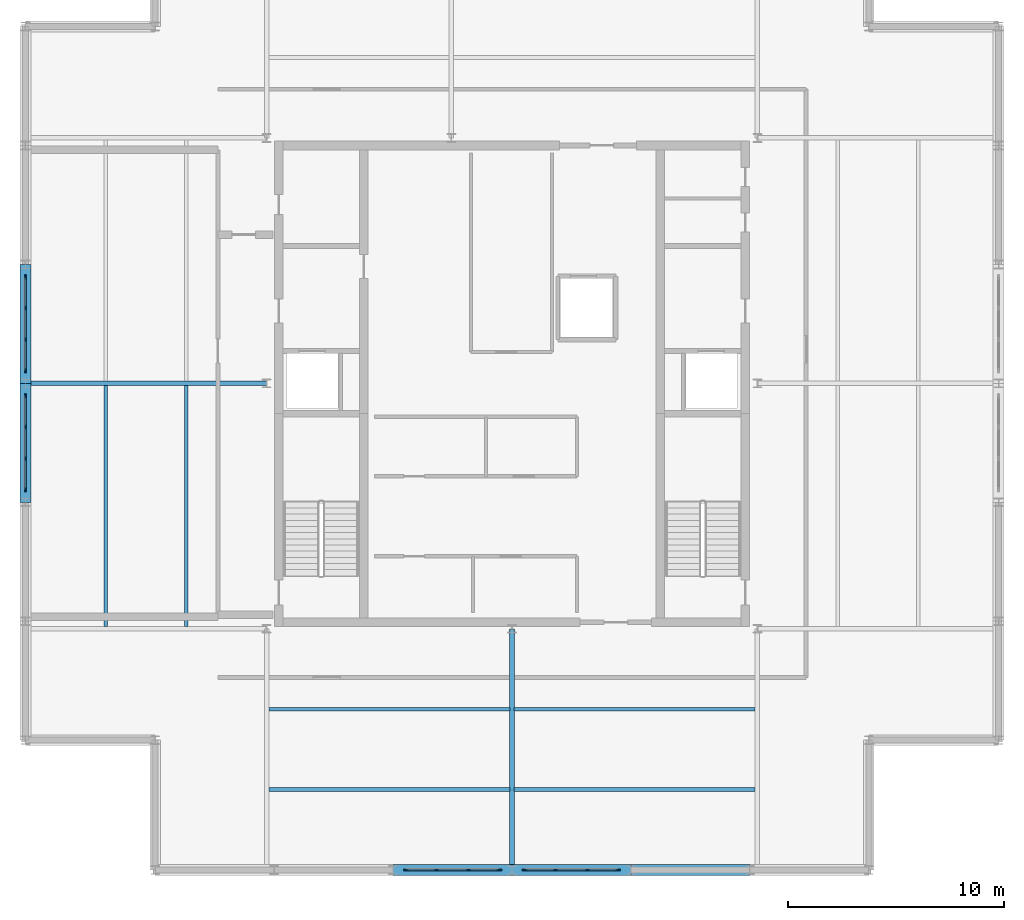
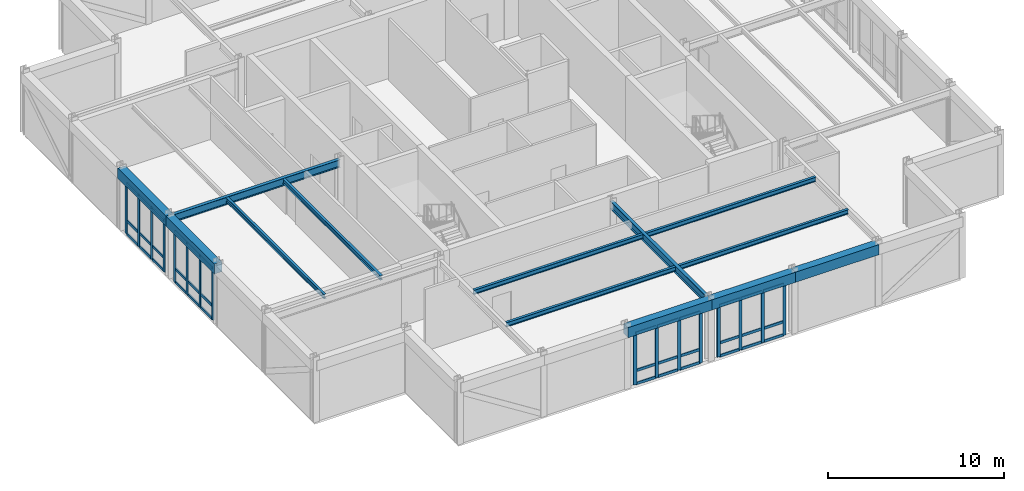
# One storey, part 2 of 9: 52 members, 13 beams, 4 elements without a shape of their own.
"""IFC4 building model written with IfcOpenShell, lengths in metres."""

from ifc_helpers import new_model, si_unit, direction, frame, origin, origin_2d, place, context, subcontext, project, spatial, rectangle, i_section, extrude, material, layer, layer_set, material_profile, profile_set, type_object, element, aggregate, save


model = new_model("IFC4")

# Units and contexts
model_context = context("Model", 3, precision=1e-05, world=origin(), true_north=direction((0.0, 1.0)))
body_context = subcontext(model_context, "Body", "Model", "MODEL_VIEW")
ifc_project = project(units=[si_unit("LENGTHUNIT", "METRE"), si_unit("AREAUNIT", "SQUARE_METRE"), si_unit("VOLUMEUNIT", "CUBIC_METRE"), si_unit("PLANEANGLEUNIT", "RADIAN"), si_unit("MASSUNIT", "GRAM", prefix="KILO")], contexts=[model_context])

# Site, building, storey
site_placement = place(None, origin())
site = spatial("IfcSite", under=ifc_project, at=site_placement, CompositionType="ELEMENT")
building_placement = place(site_placement, origin())
building = spatial("IfcBuilding", under=site, at=building_placement, Name="Nhamokura Convention Tower", CompositionType="ELEMENT")
storey_placement = place(building_placement, frame((0.0, 0.0, 322.35009765625)))
storey = spatial("IfcBuildingStorey", under=building, at=storey_placement, Name="L79", CompositionType="ELEMENT", Elevation=322.35009765625)

# Curtain wall, members
ifc_material_1 = material(Name="Anodised bronze aluminium AA6063-T6", Category="aluminium")
ifc_layer = layer(ifc_material_1, 0.2099609375)
ifc_layer_set = layer_set([ifc_layer], Name="CWSystem_SlantedCrown")
curtain_wall_type = type_object("IfcCurtainWallType", Name="CWSystem_SlantedCrown", PredefinedType="NOTDEFINED", material=ifc_layer_set)
curtain_wall_1_placement = place(storey_placement, origin())
curtain_wall_1 = element("IfcCurtainWall", 1, at=curtain_wall_1_placement, inside=storey, type_object=curtain_wall_type, Name="L79 Curtain Wall ENV-L79-CRCW-S2", PredefinedType="NOTDEFINED")
ifc_material_2 = material(Name="Anodised bronze aluminium AA6063-T6", Category="aluminium")
ifc_material_profile_1 = material_profile(ifc_material_2, rectangle(XDim=0.080078125, YDim=0.2099609375, at=origin_2d()))
ifc_profile_set_1 = profile_set([ifc_material_profile_1], Name="Anodised bronze aluminium AA6063-T6")
member_type_1 = type_object("IfcMemberType", Name="CWMullion_4", PredefinedType="MULLION", material=ifc_profile_set_1)
member_1_placement = place(storey_placement, frame((31.409912109375, 9.5, 0.0), z_axis=(0.0, 0.0, 1.0), x_axis=(0.0, -1.0, 0.0)))
member_1 = element("IfcMember", 2, at=member_1_placement, type_object=member_type_1, Name="CW-07 mullion 1", PredefinedType="MULLION", context=body_context, shape_type="SweptSolid", body=[
    extrude(rectangle(XDim=0.080078125, YDim=0.2099609375, at=origin_2d()), origin(), (0.0, 0.0, 1.0), 3.56982421875),
])
member_2_placement = place(storey_placement, frame((29.9833984375, 9.5, 0.0), z_axis=(0.0, 0.0, 1.0), x_axis=(0.0, -1.0, 0.0)))
member_2 = element("IfcMember", 3, at=member_2_placement, type_object=member_type_1, Name="CW-07 mullion 2", PredefinedType="MULLION", context=body_context, shape_type="SweptSolid", body=[
    extrude(rectangle(XDim=0.080078125, YDim=0.2099609375, at=origin_2d()), origin(), (0.0, 0.0, 1.0), 3.56982421875),
])
member_3_placement = place(storey_placement, frame((28.5166015625, 9.5, 0.0), z_axis=(0.0, 0.0, 1.0), x_axis=(0.0, -1.0, 0.0)))
member_3 = element("IfcMember", 4, at=member_3_placement, type_object=member_type_1, Name="CW-07 mullion 3", PredefinedType="MULLION", context=body_context, shape_type="SweptSolid", body=[
    extrude(rectangle(XDim=0.080078125, YDim=0.2099609375, at=origin_2d()), origin(), (0.0, 0.0, 1.0), 3.56982421875),
])
member_4_placement = place(storey_placement, frame((27.090087890625, 9.5, 0.0), z_axis=(0.0, 0.0, 1.0), x_axis=(0.0, -1.0, 0.0)))
member_4 = element("IfcMember", 5, at=member_4_placement, type_object=member_type_1, Name="CW-07 mullion 4", PredefinedType="MULLION", context=body_context, shape_type="SweptSolid", body=[
    extrude(rectangle(XDim=0.080078125, YDim=0.2099609375, at=origin_2d()), origin(), (0.0, 0.0, 1.0), 3.56982421875),
])

curtain_wall_2_placement = place(storey_placement, origin())
curtain_wall_2 = element("IfcCurtainWall", 6, at=curtain_wall_2_placement, inside=storey, type_object=curtain_wall_type, Name="L79 Curtain Wall ENV-L79-CRCW-S3", PredefinedType="NOTDEFINED")
member_5_placement = place(storey_placement, frame((36.909912109375, 9.5, 0.0), z_axis=(0.0, 0.0, 1.0), x_axis=(0.0, -1.0, 0.0)))
member_5 = element("IfcMember", 7, at=member_5_placement, type_object=member_type_1, Name="CW-07 mullion 1", PredefinedType="MULLION", context=body_context, shape_type="SweptSolid", body=[
    extrude(rectangle(XDim=0.080078125, YDim=0.2099609375, at=origin_2d()), origin(), (0.0, 0.0, 1.0), 3.56982421875),
])
member_6_placement = place(storey_placement, frame((35.4833984375, 9.5, 0.0), z_axis=(0.0, 0.0, 1.0), x_axis=(0.0, -1.0, 0.0)))
member_6 = element("IfcMember", 8, at=member_6_placement, type_object=member_type_1, Name="CW-07 mullion 2", PredefinedType="MULLION", context=body_context, shape_type="SweptSolid", body=[
    extrude(rectangle(XDim=0.080078125, YDim=0.2099609375, at=origin_2d()), origin(), (0.0, 0.0, 1.0), 3.56982421875),
])
member_7_placement = place(storey_placement, frame((34.0166015625, 9.5, 0.0), z_axis=(0.0, 0.0, 1.0), x_axis=(0.0, -1.0, 0.0)))
member_7 = element("IfcMember", 9, at=member_7_placement, type_object=member_type_1, Name="CW-07 mullion 3", PredefinedType="MULLION", context=body_context, shape_type="SweptSolid", body=[
    extrude(rectangle(XDim=0.080078125, YDim=0.2099609375, at=origin_2d()), origin(), (0.0, 0.0, 1.0), 3.56982421875),
])
member_8_placement = place(storey_placement, frame((32.590087890625, 9.5, 0.0), z_axis=(0.0, 0.0, 1.0), x_axis=(0.0, -1.0, 0.0)))
member_8 = element("IfcMember", 10, at=member_8_placement, type_object=member_type_1, Name="CW-07 mullion 4", PredefinedType="MULLION", context=body_context, shape_type="SweptSolid", body=[
    extrude(rectangle(XDim=0.080078125, YDim=0.2099609375, at=origin_2d()), origin(), (0.0, 0.0, 1.0), 3.56982421875),
])

curtain_wall_3_placement = place(storey_placement, origin())
curtain_wall_3 = element("IfcCurtainWall", 11, at=curtain_wall_3_placement, inside=storey, type_object=curtain_wall_type, Name="L79 Curtain Wall ENV-L79-CRCW-W2", PredefinedType="NOTDEFINED")
member_9_placement = place(storey_placement, frame((9.5, 27.090087890625, 0.0), z_axis=(0.0, 0.0, 1.0), x_axis=(-1.0, 0.0, 0.0)))
member_9 = element("IfcMember", 12, at=member_9_placement, type_object=member_type_1, Name="CW-07 mullion 1", PredefinedType="MULLION", context=body_context, shape_type="SweptSolid", body=[
    extrude(rectangle(XDim=0.080078125, YDim=0.2099609375, at=origin_2d()), origin(), (0.0, 0.0, 1.0), 3.56982421875),
])
member_10_placement = place(storey_placement, frame((9.5, 28.5166015625, 0.0), z_axis=(0.0, 0.0, 1.0), x_axis=(-1.0, 0.0, 0.0)))
member_10 = element("IfcMember", 13, at=member_10_placement, type_object=member_type_1, Name="CW-07 mullion 2", PredefinedType="MULLION", context=body_context, shape_type="SweptSolid", body=[
    extrude(rectangle(XDim=0.080078125, YDim=0.2099609375, at=origin_2d()), origin(), (0.0, 0.0, 1.0), 3.56982421875),
])
member_11_placement = place(storey_placement, frame((9.5, 29.9833984375, 0.0), z_axis=(0.0, 0.0, 1.0), x_axis=(-1.0, 0.0, 0.0)))
member_11 = element("IfcMember", 14, at=member_11_placement, type_object=member_type_1, Name="CW-07 mullion 3", PredefinedType="MULLION", context=body_context, shape_type="SweptSolid", body=[
    extrude(rectangle(XDim=0.080078125, YDim=0.2099609375, at=origin_2d()), origin(), (0.0, 0.0, 1.0), 3.56982421875),
])
member_12_placement = place(storey_placement, frame((9.5, 31.409912109375, 0.0), z_axis=(0.0, 0.0, 1.0), x_axis=(-1.0, 0.0, 0.0)))
member_12 = element("IfcMember", 15, at=member_12_placement, type_object=member_type_1, Name="CW-07 mullion 4", PredefinedType="MULLION", context=body_context, shape_type="SweptSolid", body=[
    extrude(rectangle(XDim=0.080078125, YDim=0.2099609375, at=origin_2d()), origin(), (0.0, 0.0, 1.0), 3.56982421875),
])

curtain_wall_4_placement = place(storey_placement, origin())
curtain_wall_4 = element("IfcCurtainWall", 16, at=curtain_wall_4_placement, inside=storey, type_object=curtain_wall_type, Name="L79 Curtain Wall ENV-L79-CRCW-W3", PredefinedType="NOTDEFINED")
member_13_placement = place(storey_placement, frame((9.5, 32.590087890625, 0.0), z_axis=(0.0, 0.0, 1.0), x_axis=(-1.0, 0.0, 0.0)))
member_13 = element("IfcMember", 17, at=member_13_placement, type_object=member_type_1, Name="CW-07 mullion 1", PredefinedType="MULLION", context=body_context, shape_type="SweptSolid", body=[
    extrude(rectangle(XDim=0.080078125, YDim=0.2099609375, at=origin_2d()), origin(), (0.0, 0.0, 1.0), 3.56982421875),
])
member_14_placement = place(storey_placement, frame((9.5, 34.0166015625, 0.0), z_axis=(0.0, 0.0, 1.0), x_axis=(-1.0, 0.0, 0.0)))
member_14 = element("IfcMember", 18, at=member_14_placement, type_object=member_type_1, Name="CW-07 mullion 2", PredefinedType="MULLION", context=body_context, shape_type="SweptSolid", body=[
    extrude(rectangle(XDim=0.080078125, YDim=0.2099609375, at=origin_2d()), origin(), (0.0, 0.0, 1.0), 3.56982421875),
])
member_15_placement = place(storey_placement, frame((9.5, 35.4833984375, 0.0), z_axis=(0.0, 0.0, 1.0), x_axis=(-1.0, 0.0, 0.0)))
member_15 = element("IfcMember", 19, at=member_15_placement, type_object=member_type_1, Name="CW-07 mullion 3", PredefinedType="MULLION", context=body_context, shape_type="SweptSolid", body=[
    extrude(rectangle(XDim=0.080078125, YDim=0.2099609375, at=origin_2d()), origin(), (0.0, 0.0, 1.0), 3.56982421875),
])
member_16_placement = place(storey_placement, frame((9.5, 36.909912109375, 0.0), z_axis=(0.0, 0.0, 1.0), x_axis=(-1.0, 0.0, 0.0)))
member_16 = element("IfcMember", 20, at=member_16_placement, type_object=member_type_1, Name="CW-07 mullion 4", PredefinedType="MULLION", context=body_context, shape_type="SweptSolid", body=[
    extrude(rectangle(XDim=0.080078125, YDim=0.2099609375, at=origin_2d()), origin(), (0.0, 0.0, 1.0), 3.56982421875),
])

# Member
ifc_material_3 = material(Name="Anodised bronze aluminium AA6063-T6", Category="aluminium")
ifc_material_profile_2 = material_profile(ifc_material_3, rectangle(XDim=0.080078125, YDim=0.18505859375, at=origin_2d()))
ifc_profile_set_2 = profile_set([ifc_material_profile_2], Name="Anodised bronze aluminium AA6063-T6")
member_type_2 = type_object("IfcMemberType", Name="CWTransom_4", PredefinedType="USERDEFINED", material=ifc_profile_set_2)
member_17_placement = place(storey_placement, frame((31.3701171875, 9.5, 0.039794921875), z_axis=(-1.0, 0.0, 0.0), x_axis=(0.0, -1.0, 0.0)))
member_17 = element("IfcMember", 21, at=member_17_placement, type_object=member_type_2, Name="CW-07 transom 1.1", ObjectType="TRANSOM", PredefinedType="USERDEFINED", context=body_context, shape_type="SweptSolid", body=[
    extrude(rectangle(XDim=0.080078125, YDim=0.18505859375, at=origin_2d()), origin(), (0.0, 0.0, 1.0), 1.3466796875),
])

member_18_placement = place(storey_placement, frame((31.3701171875, 9.5, 0.949951171875), z_axis=(-1.0, 0.0, 0.0), x_axis=(0.0, -1.0, 0.0)))
member_18 = element("IfcMember", 22, at=member_18_placement, type_object=member_type_2, Name="CW-07 transom 1.2", ObjectType="TRANSOM", PredefinedType="USERDEFINED", context=body_context, shape_type="SweptSolid", body=[
    extrude(rectangle(XDim=0.080078125, YDim=0.18505859375, at=origin_2d()), origin(), (0.0, 0.0, 1.0), 1.3466796875),
])

member_19_placement = place(storey_placement, frame((31.3701171875, 9.5, 3.52978515625), z_axis=(-1.0, 0.0, 0.0), x_axis=(0.0, -1.0, 0.0)))
member_19 = element("IfcMember", 23, at=member_19_placement, type_object=member_type_2, Name="CW-07 transom 1.3", ObjectType="TRANSOM", PredefinedType="USERDEFINED", context=body_context, shape_type="SweptSolid", body=[
    extrude(rectangle(XDim=0.080078125, YDim=0.18505859375, at=origin_2d()), origin(), (0.0, 0.0, 1.0), 1.3466796875),
])

member_20_placement = place(storey_placement, frame((29.943359375, 9.5, 0.039794921875), z_axis=(-1.0, 0.0, 0.0), x_axis=(0.0, -1.0, 0.0)))
member_20 = element("IfcMember", 24, at=member_20_placement, type_object=member_type_2, Name="CW-07 transom 2.1", ObjectType="TRANSOM", PredefinedType="USERDEFINED", context=body_context, shape_type="SweptSolid", body=[
    extrude(rectangle(XDim=0.080078125, YDim=0.18505859375, at=origin_2d()), origin(), (0.0, 0.0, 1.0), 1.38671875),
])

member_21_placement = place(storey_placement, frame((29.943359375, 9.5, 0.949951171875), z_axis=(-1.0, 0.0, 0.0), x_axis=(0.0, -1.0, 0.0)))
member_21 = element("IfcMember", 25, at=member_21_placement, type_object=member_type_2, Name="CW-07 transom 2.2", ObjectType="TRANSOM", PredefinedType="USERDEFINED", context=body_context, shape_type="SweptSolid", body=[
    extrude(rectangle(XDim=0.080078125, YDim=0.18505859375, at=origin_2d()), origin(), (0.0, 0.0, 1.0), 1.38671875),
])

member_22_placement = place(storey_placement, frame((29.943359375, 9.5, 3.52978515625), z_axis=(-1.0, 0.0, 0.0), x_axis=(0.0, -1.0, 0.0)))
member_22 = element("IfcMember", 26, at=member_22_placement, type_object=member_type_2, Name="CW-07 transom 2.3", ObjectType="TRANSOM", PredefinedType="USERDEFINED", context=body_context, shape_type="SweptSolid", body=[
    extrude(rectangle(XDim=0.080078125, YDim=0.18505859375, at=origin_2d()), origin(), (0.0, 0.0, 1.0), 1.38671875),
])

member_23_placement = place(storey_placement, frame((28.4765625, 9.5, 0.039794921875), z_axis=(-1.0, 0.0, 0.0), x_axis=(0.0, -1.0, 0.0)))
member_23 = element("IfcMember", 27, at=member_23_placement, type_object=member_type_2, Name="CW-07 transom 3.1", ObjectType="TRANSOM", PredefinedType="USERDEFINED", context=body_context, shape_type="SweptSolid", body=[
    extrude(rectangle(XDim=0.080078125, YDim=0.18505859375, at=origin_2d()), origin(), (0.0, 0.0, 1.0), 1.3466796875),
])

member_24_placement = place(storey_placement, frame((28.4765625, 9.5, 0.949951171875), z_axis=(-1.0, 0.0, 0.0), x_axis=(0.0, -1.0, 0.0)))
member_24 = element("IfcMember", 28, at=member_24_placement, type_object=member_type_2, Name="CW-07 transom 3.2", ObjectType="TRANSOM", PredefinedType="USERDEFINED", context=body_context, shape_type="SweptSolid", body=[
    extrude(rectangle(XDim=0.080078125, YDim=0.18505859375, at=origin_2d()), origin(), (0.0, 0.0, 1.0), 1.3466796875),
])

member_25_placement = place(storey_placement, frame((28.4765625, 9.5, 3.52978515625), z_axis=(-1.0, 0.0, 0.0), x_axis=(0.0, -1.0, 0.0)))
member_25 = element("IfcMember", 29, at=member_25_placement, type_object=member_type_2, Name="CW-07 transom 3.3", ObjectType="TRANSOM", PredefinedType="USERDEFINED", context=body_context, shape_type="SweptSolid", body=[
    extrude(rectangle(XDim=0.080078125, YDim=0.18505859375, at=origin_2d()), origin(), (0.0, 0.0, 1.0), 1.3466796875),
])

aggregate(curtain_wall_1, [member_1, member_2, member_3, member_4, member_17, member_18, member_19, member_20, member_21, member_22, member_23, member_24, member_25])

member_26_placement = place(storey_placement, frame((36.8701171875, 9.5, 0.039794921875), z_axis=(-1.0, 0.0, 0.0), x_axis=(0.0, -1.0, 0.0)))
member_26 = element("IfcMember", 30, at=member_26_placement, type_object=member_type_2, Name="CW-07 transom 1.1", ObjectType="TRANSOM", PredefinedType="USERDEFINED", context=body_context, shape_type="SweptSolid", body=[
    extrude(rectangle(XDim=0.080078125, YDim=0.18505859375, at=origin_2d()), origin(), (0.0, 0.0, 1.0), 1.3466796875),
])

member_27_placement = place(storey_placement, frame((36.8701171875, 9.5, 0.949951171875), z_axis=(-1.0, 0.0, 0.0), x_axis=(0.0, -1.0, 0.0)))
member_27 = element("IfcMember", 31, at=member_27_placement, type_object=member_type_2, Name="CW-07 transom 1.2", ObjectType="TRANSOM", PredefinedType="USERDEFINED", context=body_context, shape_type="SweptSolid", body=[
    extrude(rectangle(XDim=0.080078125, YDim=0.18505859375, at=origin_2d()), origin(), (0.0, 0.0, 1.0), 1.3466796875),
])

member_28_placement = place(storey_placement, frame((36.8701171875, 9.5, 3.52978515625), z_axis=(-1.0, 0.0, 0.0), x_axis=(0.0, -1.0, 0.0)))
member_28 = element("IfcMember", 32, at=member_28_placement, type_object=member_type_2, Name="CW-07 transom 1.3", ObjectType="TRANSOM", PredefinedType="USERDEFINED", context=body_context, shape_type="SweptSolid", body=[
    extrude(rectangle(XDim=0.080078125, YDim=0.18505859375, at=origin_2d()), origin(), (0.0, 0.0, 1.0), 1.3466796875),
])

member_29_placement = place(storey_placement, frame((35.443359375, 9.5, 0.039794921875), z_axis=(-1.0, 0.0, 0.0), x_axis=(0.0, -1.0, 0.0)))
member_29 = element("IfcMember", 33, at=member_29_placement, type_object=member_type_2, Name="CW-07 transom 2.1", ObjectType="TRANSOM", PredefinedType="USERDEFINED", context=body_context, shape_type="SweptSolid", body=[
    extrude(rectangle(XDim=0.080078125, YDim=0.18505859375, at=origin_2d()), origin(), (0.0, 0.0, 1.0), 1.38671875),
])

member_30_placement = place(storey_placement, frame((35.443359375, 9.5, 0.949951171875), z_axis=(-1.0, 0.0, 0.0), x_axis=(0.0, -1.0, 0.0)))
member_30 = element("IfcMember", 34, at=member_30_placement, type_object=member_type_2, Name="CW-07 transom 2.2", ObjectType="TRANSOM", PredefinedType="USERDEFINED", context=body_context, shape_type="SweptSolid", body=[
    extrude(rectangle(XDim=0.080078125, YDim=0.18505859375, at=origin_2d()), origin(), (0.0, 0.0, 1.0), 1.38671875),
])

member_31_placement = place(storey_placement, frame((35.443359375, 9.5, 3.52978515625), z_axis=(-1.0, 0.0, 0.0), x_axis=(0.0, -1.0, 0.0)))
member_31 = element("IfcMember", 35, at=member_31_placement, type_object=member_type_2, Name="CW-07 transom 2.3", ObjectType="TRANSOM", PredefinedType="USERDEFINED", context=body_context, shape_type="SweptSolid", body=[
    extrude(rectangle(XDim=0.080078125, YDim=0.18505859375, at=origin_2d()), origin(), (0.0, 0.0, 1.0), 1.38671875),
])

member_32_placement = place(storey_placement, frame((33.9765625, 9.5, 0.039794921875), z_axis=(-1.0, 0.0, 0.0), x_axis=(0.0, -1.0, 0.0)))
member_32 = element("IfcMember", 36, at=member_32_placement, type_object=member_type_2, Name="CW-07 transom 3.1", ObjectType="TRANSOM", PredefinedType="USERDEFINED", context=body_context, shape_type="SweptSolid", body=[
    extrude(rectangle(XDim=0.080078125, YDim=0.18505859375, at=origin_2d()), origin(), (0.0, 0.0, 1.0), 1.3466796875),
])

member_33_placement = place(storey_placement, frame((33.9765625, 9.5, 0.949951171875), z_axis=(-1.0, 0.0, 0.0), x_axis=(0.0, -1.0, 0.0)))
member_33 = element("IfcMember", 37, at=member_33_placement, type_object=member_type_2, Name="CW-07 transom 3.2", ObjectType="TRANSOM", PredefinedType="USERDEFINED", context=body_context, shape_type="SweptSolid", body=[
    extrude(rectangle(XDim=0.080078125, YDim=0.18505859375, at=origin_2d()), origin(), (0.0, 0.0, 1.0), 1.3466796875),
])

member_34_placement = place(storey_placement, frame((33.9765625, 9.5, 3.52978515625), z_axis=(-1.0, 0.0, 0.0), x_axis=(0.0, -1.0, 0.0)))
member_34 = element("IfcMember", 38, at=member_34_placement, type_object=member_type_2, Name="CW-07 transom 3.3", ObjectType="TRANSOM", PredefinedType="USERDEFINED", context=body_context, shape_type="SweptSolid", body=[
    extrude(rectangle(XDim=0.080078125, YDim=0.18505859375, at=origin_2d()), origin(), (0.0, 0.0, 1.0), 1.3466796875),
])

aggregate(curtain_wall_2, [member_5, member_6, member_7, member_8, member_26, member_27, member_28, member_29, member_30, member_31, member_32, member_33, member_34])

member_35_placement = place(storey_placement, frame((9.5, 27.1298828125, 0.039794921875), z_axis=(0.0, 1.0, 0.0), x_axis=(-1.0, 0.0, 0.0)))
member_35 = element("IfcMember", 39, at=member_35_placement, type_object=member_type_2, Name="CW-07 transom 1.1", ObjectType="TRANSOM", PredefinedType="USERDEFINED", context=body_context, shape_type="SweptSolid", body=[
    extrude(rectangle(XDim=0.080078125, YDim=0.18505859375, at=origin_2d()), origin(), (0.0, 0.0, 1.0), 1.3466796875),
])

member_36_placement = place(storey_placement, frame((9.5, 27.1298828125, 0.949951171875), z_axis=(0.0, 1.0, 0.0), x_axis=(-1.0, 0.0, 0.0)))
member_36 = element("IfcMember", 40, at=member_36_placement, type_object=member_type_2, Name="CW-07 transom 1.2", ObjectType="TRANSOM", PredefinedType="USERDEFINED", context=body_context, shape_type="SweptSolid", body=[
    extrude(rectangle(XDim=0.080078125, YDim=0.18505859375, at=origin_2d()), origin(), (0.0, 0.0, 1.0), 1.3466796875),
])

member_37_placement = place(storey_placement, frame((9.5, 27.1298828125, 3.52978515625), z_axis=(0.0, 1.0, 0.0), x_axis=(-1.0, 0.0, 0.0)))
member_37 = element("IfcMember", 41, at=member_37_placement, type_object=member_type_2, Name="CW-07 transom 1.3", ObjectType="TRANSOM", PredefinedType="USERDEFINED", context=body_context, shape_type="SweptSolid", body=[
    extrude(rectangle(XDim=0.080078125, YDim=0.18505859375, at=origin_2d()), origin(), (0.0, 0.0, 1.0), 1.3466796875),
])

member_38_placement = place(storey_placement, frame((9.5, 28.556640625, 0.039794921875), z_axis=(0.0, 1.0, 0.0), x_axis=(-1.0, 0.0, 0.0)))
member_38 = element("IfcMember", 42, at=member_38_placement, type_object=member_type_2, Name="CW-07 transom 2.1", ObjectType="TRANSOM", PredefinedType="USERDEFINED", context=body_context, shape_type="SweptSolid", body=[
    extrude(rectangle(XDim=0.080078125, YDim=0.18505859375, at=origin_2d()), origin(), (0.0, 0.0, 1.0), 1.38671875),
])

member_39_placement = place(storey_placement, frame((9.5, 28.556640625, 0.949951171875), z_axis=(0.0, 1.0, 0.0), x_axis=(-1.0, 0.0, 0.0)))
member_39 = element("IfcMember", 43, at=member_39_placement, type_object=member_type_2, Name="CW-07 transom 2.2", ObjectType="TRANSOM", PredefinedType="USERDEFINED", context=body_context, shape_type="SweptSolid", body=[
    extrude(rectangle(XDim=0.080078125, YDim=0.18505859375, at=origin_2d()), origin(), (0.0, 0.0, 1.0), 1.38671875),
])

member_40_placement = place(storey_placement, frame((9.5, 28.556640625, 3.52978515625), z_axis=(0.0, 1.0, 0.0), x_axis=(-1.0, 0.0, 0.0)))
member_40 = element("IfcMember", 44, at=member_40_placement, type_object=member_type_2, Name="CW-07 transom 2.3", ObjectType="TRANSOM", PredefinedType="USERDEFINED", context=body_context, shape_type="SweptSolid", body=[
    extrude(rectangle(XDim=0.080078125, YDim=0.18505859375, at=origin_2d()), origin(), (0.0, 0.0, 1.0), 1.38671875),
])

member_41_placement = place(storey_placement, frame((9.5, 30.0234375, 0.039794921875), z_axis=(0.0, 1.0, 0.0), x_axis=(-1.0, 0.0, 0.0)))
member_41 = element("IfcMember", 45, at=member_41_placement, type_object=member_type_2, Name="CW-07 transom 3.1", ObjectType="TRANSOM", PredefinedType="USERDEFINED", context=body_context, shape_type="SweptSolid", body=[
    extrude(rectangle(XDim=0.080078125, YDim=0.18505859375, at=origin_2d()), origin(), (0.0, 0.0, 1.0), 1.3466796875),
])

member_42_placement = place(storey_placement, frame((9.5, 30.0234375, 0.949951171875), z_axis=(0.0, 1.0, 0.0), x_axis=(-1.0, 0.0, 0.0)))
member_42 = element("IfcMember", 46, at=member_42_placement, type_object=member_type_2, Name="CW-07 transom 3.2", ObjectType="TRANSOM", PredefinedType="USERDEFINED", context=body_context, shape_type="SweptSolid", body=[
    extrude(rectangle(XDim=0.080078125, YDim=0.18505859375, at=origin_2d()), origin(), (0.0, 0.0, 1.0), 1.3466796875),
])

member_43_placement = place(storey_placement, frame((9.5, 30.0234375, 3.52978515625), z_axis=(0.0, 1.0, 0.0), x_axis=(-1.0, 0.0, 0.0)))
member_43 = element("IfcMember", 47, at=member_43_placement, type_object=member_type_2, Name="CW-07 transom 3.3", ObjectType="TRANSOM", PredefinedType="USERDEFINED", context=body_context, shape_type="SweptSolid", body=[
    extrude(rectangle(XDim=0.080078125, YDim=0.18505859375, at=origin_2d()), origin(), (0.0, 0.0, 1.0), 1.3466796875),
])

aggregate(curtain_wall_3, [member_9, member_10, member_11, member_12, member_35, member_36, member_37, member_38, member_39, member_40, member_41, member_42, member_43])

member_44_placement = place(storey_placement, frame((9.5, 32.6298828125, 0.039794921875), z_axis=(0.0, 1.0, 0.0), x_axis=(-1.0, 0.0, 0.0)))
member_44 = element("IfcMember", 48, at=member_44_placement, type_object=member_type_2, Name="CW-07 transom 1.1", ObjectType="TRANSOM", PredefinedType="USERDEFINED", context=body_context, shape_type="SweptSolid", body=[
    extrude(rectangle(XDim=0.080078125, YDim=0.18505859375, at=origin_2d()), origin(), (0.0, 0.0, 1.0), 1.3466796875),
])

member_45_placement = place(storey_placement, frame((9.5, 32.6298828125, 0.949951171875), z_axis=(0.0, 1.0, 0.0), x_axis=(-1.0, 0.0, 0.0)))
member_45 = element("IfcMember", 49, at=member_45_placement, type_object=member_type_2, Name="CW-07 transom 1.2", ObjectType="TRANSOM", PredefinedType="USERDEFINED", context=body_context, shape_type="SweptSolid", body=[
    extrude(rectangle(XDim=0.080078125, YDim=0.18505859375, at=origin_2d()), origin(), (0.0, 0.0, 1.0), 1.3466796875),
])

member_46_placement = place(storey_placement, frame((9.5, 32.6298828125, 3.52978515625), z_axis=(0.0, 1.0, 0.0), x_axis=(-1.0, 0.0, 0.0)))
member_46 = element("IfcMember", 50, at=member_46_placement, type_object=member_type_2, Name="CW-07 transom 1.3", ObjectType="TRANSOM", PredefinedType="USERDEFINED", context=body_context, shape_type="SweptSolid", body=[
    extrude(rectangle(XDim=0.080078125, YDim=0.18505859375, at=origin_2d()), origin(), (0.0, 0.0, 1.0), 1.3466796875),
])

member_47_placement = place(storey_placement, frame((9.5, 34.056640625, 0.039794921875), z_axis=(0.0, 1.0, 0.0), x_axis=(-1.0, 0.0, 0.0)))
member_47 = element("IfcMember", 51, at=member_47_placement, type_object=member_type_2, Name="CW-07 transom 2.1", ObjectType="TRANSOM", PredefinedType="USERDEFINED", context=body_context, shape_type="SweptSolid", body=[
    extrude(rectangle(XDim=0.080078125, YDim=0.18505859375, at=origin_2d()), origin(), (0.0, 0.0, 1.0), 1.38671875),
])

member_48_placement = place(storey_placement, frame((9.5, 34.056640625, 0.949951171875), z_axis=(0.0, 1.0, 0.0), x_axis=(-1.0, 0.0, 0.0)))
member_48 = element("IfcMember", 52, at=member_48_placement, type_object=member_type_2, Name="CW-07 transom 2.2", ObjectType="TRANSOM", PredefinedType="USERDEFINED", context=body_context, shape_type="SweptSolid", body=[
    extrude(rectangle(XDim=0.080078125, YDim=0.18505859375, at=origin_2d()), origin(), (0.0, 0.0, 1.0), 1.38671875),
])

member_49_placement = place(storey_placement, frame((9.5, 34.056640625, 3.52978515625), z_axis=(0.0, 1.0, 0.0), x_axis=(-1.0, 0.0, 0.0)))
member_49 = element("IfcMember", 53, at=member_49_placement, type_object=member_type_2, Name="CW-07 transom 2.3", ObjectType="TRANSOM", PredefinedType="USERDEFINED", context=body_context, shape_type="SweptSolid", body=[
    extrude(rectangle(XDim=0.080078125, YDim=0.18505859375, at=origin_2d()), origin(), (0.0, 0.0, 1.0), 1.38671875),
])

member_50_placement = place(storey_placement, frame((9.5, 35.5234375, 0.039794921875), z_axis=(0.0, 1.0, 0.0), x_axis=(-1.0, 0.0, 0.0)))
member_50 = element("IfcMember", 54, at=member_50_placement, type_object=member_type_2, Name="CW-07 transom 3.1", ObjectType="TRANSOM", PredefinedType="USERDEFINED", context=body_context, shape_type="SweptSolid", body=[
    extrude(rectangle(XDim=0.080078125, YDim=0.18505859375, at=origin_2d()), origin(), (0.0, 0.0, 1.0), 1.3466796875),
])

member_51_placement = place(storey_placement, frame((9.5, 35.5234375, 0.949951171875), z_axis=(0.0, 1.0, 0.0), x_axis=(-1.0, 0.0, 0.0)))
member_51 = element("IfcMember", 55, at=member_51_placement, type_object=member_type_2, Name="CW-07 transom 3.2", ObjectType="TRANSOM", PredefinedType="USERDEFINED", context=body_context, shape_type="SweptSolid", body=[
    extrude(rectangle(XDim=0.080078125, YDim=0.18505859375, at=origin_2d()), origin(), (0.0, 0.0, 1.0), 1.3466796875),
])

member_52_placement = place(storey_placement, frame((9.5, 35.5234375, 3.52978515625), z_axis=(0.0, 1.0, 0.0), x_axis=(-1.0, 0.0, 0.0)))
member_52 = element("IfcMember", 56, at=member_52_placement, type_object=member_type_2, Name="CW-07 transom 3.3", ObjectType="TRANSOM", PredefinedType="USERDEFINED", context=body_context, shape_type="SweptSolid", body=[
    extrude(rectangle(XDim=0.080078125, YDim=0.18505859375, at=origin_2d()), origin(), (0.0, 0.0, 1.0), 1.3466796875),
])

aggregate(curtain_wall_4, [member_13, member_14, member_15, member_16, member_44, member_45, member_46, member_47, member_48, member_49, member_50, member_51, member_52])

# Beams
ifc_material_4 = material(Name="Steel ASTM A992 Gr 50", Category="steel")
ifc_material_profile_3 = material_profile(ifc_material_4, i_section(OverallWidth=0.166015625, OverallDepth=0.31298828125, WebThickness=0.006591796875, FlangeThickness=0.01123046875, at=origin_2d()))
ifc_profile_set_3 = profile_set([ifc_material_profile_3], Name="Steel ASTM A992 Gr 50")
beam_type_1 = type_object("IfcBeamType", Name="FloorJoist_W310X45", PredefinedType="JOIST", material=ifc_profile_set_3)
for number, where, z_axis, x_axis, name in (
    (57, (20.75244140625, 13.216796875, 4.13330078125), (1.0, 0.0, 0.0), (0.0, 1.0, 0.0), "L79 Composite Floor Joist S1A"),
    (58, (32.1025390625, 13.216796875, 4.13330078125), (1.0, 0.0, 0.0), (0.0, 1.0, 0.0), "L79 Composite Floor Joist S1B"),
    (59, (20.75244140625, 16.933349609375, 4.13330078125), (1.0, 0.0, 0.0), (0.0, 1.0, 0.0), "L79 Composite Floor Joist S2A"),
    (60, (32.1025390625, 16.933349609375, 4.13330078125), (1.0, 0.0, 0.0), (0.0, 1.0, 0.0), "L79 Composite Floor Joist S2B"),
    (61, (13.216796875, 20.75244140625, 4.13330078125), (0.0, 1.0, 0.0), (-1.0, 0.0, 0.0), "L79 Composite Floor Joist W1A"),
    (62, (16.933349609375, 20.75244140625, 4.13330078125), (0.0, 1.0, 0.0), (-1.0, 0.0, 0.0), "L79 Composite Floor Joist W2A"),
):
    element("IfcBeam", number, at=place(storey_placement, frame(where, z_axis=z_axis, x_axis=x_axis)), inside=storey, type_object=beam_type_1, Name=name, PredefinedType="JOIST", context=body_context, shape_type="SweptSolid", body=[
        extrude(i_section(OverallWidth=0.166015625, OverallDepth=0.31298828125, WebThickness=0.006591796875, FlangeThickness=0.01123046875, at=origin_2d()), origin(), (0.0, 0.0, 1.0), 11.14501953125),
    ])
ifc_material_5 = material(Name="Steel ASTM A992 Gr 50", Category="steel")
ifc_material_profile_4 = material_profile(ifc_material_5, i_section(OverallWidth=0.208984375, OverallDepth=0.532958984375, WebThickness=0.01025390625, FlangeThickness=0.015625, at=origin_2d()))
ifc_profile_set_4 = profile_set([ifc_material_profile_4], Name="Steel ASTM A992 Gr 50")
beam_type_2 = type_object("IfcBeamType", Name="PrimaryGirder_W530X92", PredefinedType="BEAM", material=ifc_profile_set_4)
for number, where, z_axis, x_axis, name in (
    (63, (32.0, 9.5, 4.0234375), (0.0, 1.0, 0.0), (-1.0, 0.0, 0.0), "L79 Primary Floor Girder PG-S2"),
    (64, (9.5, 32.0, 4.0234375), (1.0, 0.0, 0.0), (0.0, 1.0, 0.0), "L79 Primary Floor Girder PG-W2"),
):
    element("IfcBeam", number, at=place(storey_placement, frame(where, z_axis=z_axis, x_axis=x_axis)), inside=storey, type_object=beam_type_2, Name=name, PredefinedType="BEAM", context=body_context, shape_type="SweptSolid", body=[
        extrude(i_section(OverallWidth=0.208984375, OverallDepth=0.532958984375, WebThickness=0.01025390625, FlangeThickness=0.015625, at=origin_2d()), origin(), (0.0, 0.0, 1.0), 11.14990234375),
    ])
ifc_material_6 = material(Name="Concrete C50/60", Category="concrete")
ifc_material_profile_5 = material_profile(ifc_material_6, rectangle(XDim=0.5, YDim=0.699951171875, at=origin_2d()))
ifc_profile_set_5 = profile_set([ifc_material_profile_5], Name="Concrete C50/60")
beam_type_3 = type_object("IfcBeamType", Name="TubeSpandrel_700", PredefinedType="SPANDREL", material=ifc_profile_set_5)
for number, where, z_axis, x_axis, name in (
    (65, (26.5, 9.5, 3.93994140625), (1.0, 0.0, 0.0), (0.0, 1.0, 0.0), "L79 Perimeter Spandrel SOUTH 3"),
    (66, (32.0, 9.5, 3.93994140625), (1.0, 0.0, 0.0), (0.0, 1.0, 0.0), "L79 Perimeter Spandrel SOUTH 4"),
    (67, (37.5, 9.5, 3.93994140625), (1.0, 0.0, 0.0), (0.0, 1.0, 0.0), "L79 Perimeter Spandrel SOUTH 5"),
    (68, (9.5, 26.5, 3.93994140625), (0.0, 1.0, 0.0), (-1.0, 0.0, 0.0), "L79 Perimeter Spandrel WEST 3"),
    (69, (9.5, 32.0, 3.93994140625), (0.0, 1.0, 0.0), (-1.0, 0.0, 0.0), "L79 Perimeter Spandrel WEST 4"),
):
    element("IfcBeam", number, at=place(storey_placement, frame(where, z_axis=z_axis, x_axis=x_axis)), inside=storey, type_object=beam_type_3, Name=name, PredefinedType="SPANDREL", context=body_context, shape_type="SweptSolid", body=[
        extrude(rectangle(XDim=0.5, YDim=0.699951171875, at=origin_2d()), origin(), (0.0, 0.0, 1.0), 5.5),
    ])

save(model, "model.ifc")
